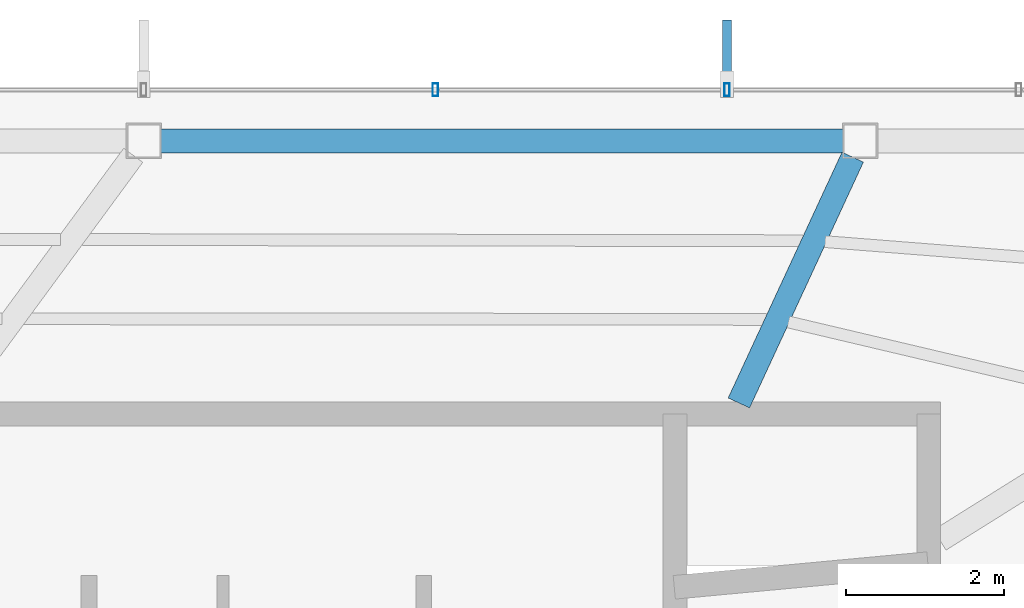
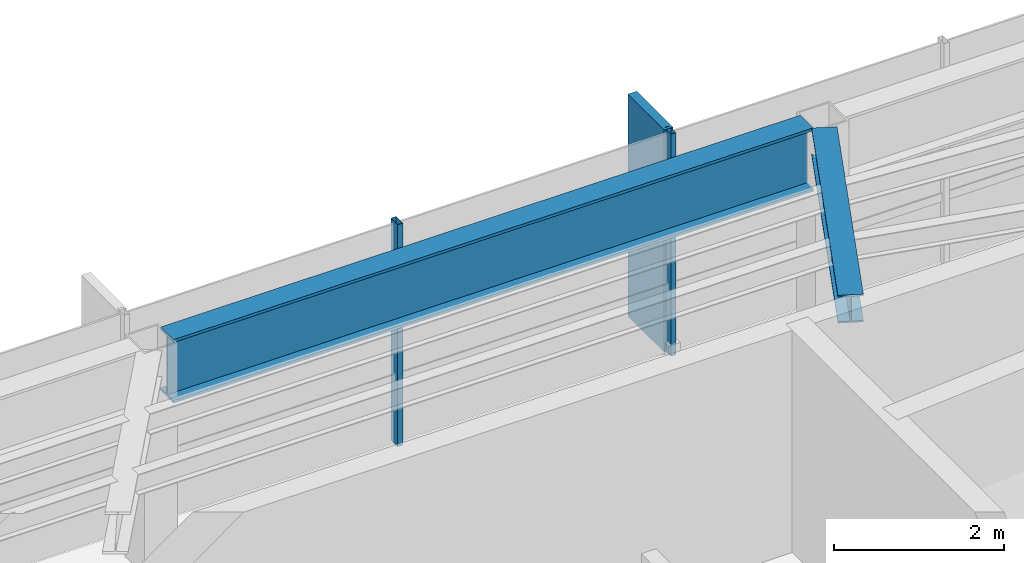
# One storey, part 14 of 22: 3 members, 2 beams, 1 element without a shape of its own.
"""IFC4 building model written with IfcOpenShell, lengths in metres."""

import ifcopenshell
import ifcopenshell.guid

model = None  # the IFC model being written
_history = None  # IfcOwnerHistory: only IFC2X3 demands one
_inside = {}  # id of a spatial element -> (the spatial element, [elements in it])
_under = {}  # id of a project, library or spatial element -> (it, [spatial elements below it])
_declared = {}  # id of a project -> (the project, [libraries it declares])
_typed = {}  # id of a type object -> (the type object, [elements of that type])
_made_of = {}  # id of a material, layer set ... -> (it, [elements and type objects made of it])


def new_model(schema):
    """Start an empty IFC model of exactly this schema.

    Asked for "IFC4X3", IfcOpenShell would pick the latest addendum, in which some entities
    have other attributes; the version numbers below select the first issue.
    IFC2X3 requires an IfcOwnerHistory on every rooted entity: one is made here for all.
    """
    global model, _history
    if schema == "IFC4X3":
        model = ifcopenshell.file(schema_version=(4, 3, 0, 0))
    else:
        model = ifcopenshell.file(schema=schema)
    _inside.clear()
    _under.clear()
    _declared.clear()
    _typed.clear()
    _made_of.clear()
    _history = None
    if model.schema == "IFC2X3":
        org = make("IfcOrganization", Name="unknown")
        user = make(
            "IfcPersonAndOrganization",
            ThePerson=make("IfcPerson", FamilyName="unknown"),
            TheOrganization=org,
        )
        app = make(
            "IfcApplication",
            ApplicationDeveloper=org,
            Version="unknown",
            ApplicationFullName="unknown",
            ApplicationIdentifier="unknown",
        )
        _history = make(
            "IfcOwnerHistory",
            OwningUser=user,
            OwningApplication=app,
            ChangeAction="ADDED",
            CreationDate=0,
        )
    return model


def make(cls, **values):
    """One entity of the class cls with the attributes given. An attribute that is None is left unset."""
    return model.create_entity(
        cls, **{name: value for name, value in values.items() if value is not None}
    )


def rooted(cls, **values):
    """An entity with a GlobalId (a new one), such as an element, a storey or a relation."""
    return make(cls, GlobalId=ifcopenshell.guid.new(), OwnerHistory=_history, **values)


def si_unit(unit_type, name, prefix=None):
    """IfcSIUnit, for example si_unit("LENGTHUNIT", "METRE", prefix="MILLI")."""
    return make("IfcSIUnit", UnitType=unit_type, Prefix=prefix, Name=name)


def assignment(units):
    """IfcUnitAssignment: the units of a project."""
    return None if units is None else make("IfcUnitAssignment", Units=units)


def point(xyz):
    """IfcCartesianPoint."""
    return None if xyz is None else make("IfcCartesianPoint", Coordinates=xyz)


def direction(xyz):
    """IfcDirection."""
    return None if xyz is None else make("IfcDirection", DirectionRatios=xyz)


def frame(location, z_axis=None, x_axis=None):
    """IfcAxis2Placement3D, a coordinate frame: its origin and axes. An axis left out is left unset."""
    return make(
        "IfcAxis2Placement3D",
        Location=point(location),
        Axis=direction(z_axis),
        RefDirection=direction(x_axis),
    )


def frame_2d(location, x_axis=None):
    """IfcAxis2Placement2D, a coordinate frame in the plane: its origin and x axis."""
    return make(
        "IfcAxis2Placement2D", Location=point(location), RefDirection=direction(x_axis)
    )


def origin():
    """The frame at (0, 0, 0) with its axes left unset."""
    return frame((0.0, 0.0, 0.0))


def origin_2d():
    """The frame at (0, 0) in the plane with its x axis left unset."""
    return frame_2d((0.0, 0.0))


def place(relative_to, where):
    """IfcLocalPlacement: puts the frame where relative to a parent placement (None: the world)."""
    return make(
        "IfcLocalPlacement", PlacementRelTo=relative_to, RelativePlacement=where
    )


def context(
    kind, dimensions, precision=None, world=None, true_north=None, identifier=None
):
    """IfcGeometricRepresentationContext, for example the 3D "Model" context."""
    return make(
        "IfcGeometricRepresentationContext",
        ContextIdentifier=identifier,
        ContextType=kind,
        CoordinateSpaceDimension=dimensions,
        Precision=precision,
        WorldCoordinateSystem=world,
        TrueNorth=true_north,
    )


def subcontext(parent, identifier, kind, view, scale=None):
    """IfcGeometricRepresentationSubContext, for example "Body" below "Model"."""
    return make(
        "IfcGeometricRepresentationSubContext",
        ContextIdentifier=identifier,
        ContextType=kind,
        ParentContext=parent,
        TargetScale=scale,
        TargetView=view,
    )


def project(units=None, contexts=None):
    """IfcProject with its units and contexts."""
    return rooted(
        "IfcProject",
        Name="project",
        RepresentationContexts=contexts,
        UnitsInContext=assignment(units),
    )


def spatial(cls, under=None, at=None, **own):
    """A site, building, storey or space (cls), placed at a placement, below another one or the project."""
    s = rooted(cls, ObjectPlacement=at, **own)
    if under is not None:
        _under.setdefault(under.id(), (under, []))[1].append(s)
    return s


def profile(cls, at=None, kind="AREA", **sizes):
    """A parametric profile (cls). Its sizes go by their IFC names, for example OverallWidth=200.0."""
    return make(cls, ProfileType=kind, Position=at, **sizes)


def rectangle(**sizes):
    """IfcRectangleProfileDef."""
    return profile("IfcRectangleProfileDef", **sizes)


def hollow_rectangle(**sizes):
    """IfcRectangleHollowProfileDef."""
    return profile("IfcRectangleHollowProfileDef", **sizes)


def i_section(**sizes):
    """IfcIShapeProfileDef."""
    return profile("IfcIShapeProfileDef", **sizes)


def extrude(swept, where, along, depth):
    """IfcExtrudedAreaSolid: the profile swept, set in the frame where, extruded along a direction by depth."""
    return make(
        "IfcExtrudedAreaSolid",
        SweptArea=swept,
        Position=where,
        ExtrudedDirection=direction(along),
        Depth=depth,
    )


def shape(context_of_items, identifier, shape_type, items):
    """IfcShapeRepresentation: the items that make up one representation, for example the "Body"."""
    return make(
        "IfcShapeRepresentation",
        ContextOfItems=context_of_items,
        RepresentationIdentifier=identifier,
        RepresentationType=shape_type,
        Items=items,
    )


def material(Name=None, Category=None):
    """IfcMaterial."""
    return make("IfcMaterial", Name=Name, Category=Category)


def layer(
    of_material, thickness, ventilated=None, Name=None, Category=None, Priority=None
):
    """IfcMaterialLayer: one layer of a wall or slab, of a material (None: an air gap)."""
    return make(
        "IfcMaterialLayer",
        Material=of_material,
        LayerThickness=thickness,
        IsVentilated=ventilated,
        Name=Name,
        Category=Category,
        Priority=Priority,
    )


def layer_set(layers, Name=None):
    """IfcMaterialLayerSet."""
    return make("IfcMaterialLayerSet", MaterialLayers=layers, LayerSetName=Name)


def material_profile(
    of_material, cross_section, Name=None, Category=None, Priority=None
):
    """IfcMaterialProfile: a cross section and its material."""
    return make(
        "IfcMaterialProfile",
        Name=Name,
        Material=of_material,
        Profile=cross_section,
        Priority=Priority,
        Category=Category,
    )


def profile_set(profiles, Name=None, composite=None):
    """IfcMaterialProfileSet."""
    return make(
        "IfcMaterialProfileSet",
        Name=Name,
        MaterialProfiles=profiles,
        CompositeProfile=composite,
    )


def made_of(thing, what):
    """Note that an element or type object is made of a material, layer set ...; save() writes the relation."""
    if what is not None:
        _made_of.setdefault(what.id(), (what, []))[1].append(thing)
    return thing


def type_object(cls, material=None, **own):
    """A type object (cls), such as IfcWallType, which elements share."""
    return made_of(rooted(cls, **own), material)


def element(
    cls,
    number,
    at=None,
    inside=None,
    cuts=None,
    type_object=None,
    material=None,
    context=None,
    identifier="Body",
    shape_type=None,
    held_by="IfcProductDefinitionShape",
    body=None,
    shapes=None,
    **own,
):
    """One element of the class cls, such as IfcWall. Its Tag is "e" and its number.

    at: its placement. inside: the storey or other place that contains it. cuts: it is an
    opening in that element (IfcRelVoidsElement). A single representation is given by context,
    identifier, shape_type and body (its items); several are given by shapes. held_by: the class
    of the entity that holds the representations. save() writes the other relations.
    """
    e = rooted(cls, Tag="e%d" % number, ObjectPlacement=at, **own)
    if body is not None:
        shapes = [shape(context, identifier, shape_type, body)]
    if shapes is not None:
        e.Representation = make(held_by, Representations=shapes)
    if inside is not None:
        _inside.setdefault(inside.id(), (inside, []))[1].append(e)
    if cuts is not None:
        rooted(
            "IfcRelVoidsElement", RelatingBuildingElement=cuts, RelatedOpeningElement=e
        )
    if type_object is not None:
        _typed.setdefault(type_object.id(), (type_object, []))[1].append(e)
    return made_of(e, material)


def aggregate(whole, parts):
    """IfcRelAggregates: a whole, such as a stair, and the parts it consists of."""
    return rooted("IfcRelAggregates", RelatingObject=whole, RelatedObjects=parts)


def save(model, path):
    """Write the relations noted so far, then the file.

    IfcRelAggregates (storeys below a building ...), IfcRelContainedInSpatialStructure (elements
    in a storey), IfcRelDefinesByType, IfcRelAssociatesMaterial and IfcRelDeclares: one each for
    every whole, place, type object, material and project.
    """
    for whole, parts in _under.values():
        aggregate(whole, parts)
    for where, things in _inside.values():
        rooted(
            "IfcRelContainedInSpatialStructure",
            RelatedElements=things,
            RelatingStructure=where,
        )
    for kind, things in _typed.values():
        rooted("IfcRelDefinesByType", RelatedObjects=things, RelatingType=kind)
    for what, things in _made_of.values():
        rooted("IfcRelAssociatesMaterial", RelatedObjects=things, RelatingMaterial=what)
    for by, libraries in _declared.values():
        rooted("IfcRelDeclares", RelatingContext=by, RelatedDefinitions=libraries)
    model.write(path)


model = new_model("IFC4")

# Units and contexts
model_context = context("Model", 3, precision=1e-05, world=origin(), true_north=direction((0.0, 1.0)))
body_context = subcontext(model_context, "Body", "Model", "MODEL_VIEW")
ifc_project = project(units=[si_unit("LENGTHUNIT", "METRE"), si_unit("AREAUNIT", "SQUARE_METRE"), si_unit("VOLUMEUNIT", "CUBIC_METRE"), si_unit("PLANEANGLEUNIT", "RADIAN"), si_unit("MASSUNIT", "GRAM", prefix="KILO")], contexts=[model_context])

# Site, building, storey
site_placement = place(None, origin())
site = spatial("IfcSite", under=ifc_project, at=site_placement, CompositionType="ELEMENT")
building_placement = place(site_placement, origin())
building = spatial("IfcBuilding", under=site, at=building_placement, Name="Zarrinselat Tower", CompositionType="ELEMENT")
storey_placement = place(building_placement, frame((0.0, 0.0, 289.0)))
storey = spatial("IfcBuildingStorey", under=building, at=storey_placement, Name="L74", CompositionType="ELEMENT", Elevation=289.0)

# Beams
ifc_material_1 = material(Name="Steel S355J2", Category="steel")
ifc_material_profile_1 = material_profile(ifc_material_1, i_section(OverallWidth=0.300048828125, OverallDepth=0.39990234375, WebThickness=0.013427734375, FlangeThickness=0.02392578125, at=origin_2d()), Name="HEB 400")
ifc_profile_set_1 = profile_set([ifc_material_profile_1], Name="Steel S355J2")
beam_type_1 = type_object("IfcBeamType", Name="BM-HEB400", PredefinedType="BEAM", material=ifc_profile_set_1)
beam_1_placement = place(storey_placement, frame((45.800048828125, 43.5400390625, 2.97998046875), z_axis=(0.420205846553, 0.907428810719, 0.0), x_axis=(-0.907428810719, 0.420205846553, 0.0)))
element("IfcBeam", 1, at=beam_1_placement, inside=storey, type_object=beam_type_1, Name="L74 Radial Primary Girder RG02", PredefinedType="BEAM", context=body_context, shape_type="SweptSolid", body=[
    extrude(i_section(OverallWidth=0.300048828125, OverallDepth=0.39990234375, WebThickness=0.013427734375, FlangeThickness=0.02392578125, at=origin_2d()), origin(), (0.0, 0.0, 1.0), 3.43896484375),
])
ifc_material_2 = material(Name="Steel S460M", Category="steel")
ifc_material_profile_2 = material_profile(ifc_material_2, i_section(OverallWidth=0.302001953125, OverallDepth=0.909912109375, WebThickness=0.02099609375, FlangeThickness=0.0400390625, at=origin_2d()), Name="HEM 900")
ifc_profile_set_2 = profile_set([ifc_material_profile_2], Name="Steel S460M")
beam_type_2 = type_object("IfcBeamType", Name="BM-HEM900", PredefinedType="BEAM", material=ifc_profile_set_2)
beam_2_placement = place(storey_placement, frame((38.45849609375, 46.86669921875, 2.72509765625), z_axis=(1.0, 0.0, 0.0), x_axis=(0.0, 1.0, 0.0)))
element("IfcBeam", 2, at=beam_2_placement, inside=storey, type_object=beam_type_2, Name="L74 Perimeter Spandrel Girder SP02", PredefinedType="BEAM", context=body_context, shape_type="SweptSolid", body=[
    extrude(i_section(OverallWidth=0.302001953125, OverallDepth=0.909912109375, WebThickness=0.02099609375, FlangeThickness=0.0400390625, at=origin_2d()), origin(), (0.0, 0.0, 1.0), 8.6689453125),
])

# Curtain wall, members
ifc_material_3 = material(Name="Extruded Aluminium Alloy EN AW-6063 T6", Category="aluminium")
ifc_layer = layer(ifc_material_3, 0.169921875)
ifc_layer_set = layer_set([ifc_layer], Name="Extruded Aluminium Alloy EN AW-6063 T6")
curtain_wall_type = type_object("IfcCurtainWallType", Name="CWS-RES", PredefinedType="NOTDEFINED", material=ifc_layer_set)
curtain_wall_placement = place(storey_placement, origin())
curtain_wall = element("IfcCurtainWall", 3, at=curtain_wall_placement, inside=storey, type_object=curtain_wall_type, Name="L74 Unitised Curtain Wall CW-L74-E01", PredefinedType="NOTDEFINED")
ifc_material_4 = material(Name="Extruded Aluminium Alloy EN AW-6063 T6", Category="aluminium")
ifc_material_profile_3 = material_profile(ifc_material_4, hollow_rectangle(XDim=0.070068359375, YDim=0.159912109375, WallThickness=0.00390625, at=origin_2d()), Name="RHS 160x70x4")
ifc_profile_set_3 = profile_set([ifc_material_profile_3], Name="Extruded Aluminium Alloy EN AW-6063 T6")
member_type_1 = type_object("IfcMemberType", Name="MEM-CW-MUL2", PredefinedType="MULLION", material=ifc_profile_set_3)
member_1_placement = place(storey_placement, frame((45.6494140625, 47.5166015625, 0.0), z_axis=(0.0, 0.0, 1.0), x_axis=(-1.0, 0.0, 0.0)))
member_1 = element("IfcMember", 4, at=member_1_placement, type_object=member_type_1, Name="CW-L74-E01 Mullion 3", PredefinedType="MULLION", context=body_context, shape_type="SweptSolid", body=[
    extrude(hollow_rectangle(XDim=0.070068359375, YDim=0.159912109375, WallThickness=0.00390625, at=origin_2d()), origin(), (0.0, 0.0, 1.0), 3.179931640625),
])
member_2_placement = place(storey_placement, frame((41.94677734375, 47.5166015625, 0.0), z_axis=(0.0, 0.0, 1.0), x_axis=(-1.0, 0.0, 0.0)))
member_2 = element("IfcMember", 5, at=member_2_placement, type_object=member_type_1, Name="CW-L74-E01 Mullion 4", PredefinedType="MULLION", context=body_context, shape_type="SweptSolid", body=[
    extrude(hollow_rectangle(XDim=0.070068359375, YDim=0.159912109375, WallThickness=0.00390625, at=origin_2d()), origin(), (0.0, 0.0, 1.0), 3.179931640625),
])
ifc_material_5 = material(Name="Honed Cream Travertine Stone", Category="masonry")
ifc_material_profile_4 = material_profile(ifc_material_5, rectangle(XDim=0.1201171875, YDim=0.85009765625, at=origin_2d()), Name="FIN 850x120")
ifc_profile_set_4 = profile_set([ifc_material_profile_4], Name="Honed Cream Travertine Stone")
member_type_2 = type_object("IfcMemberType", Name="MEM-STONE-FIN", PredefinedType="USERDEFINED", material=ifc_profile_set_4)
member_3_placement = place(storey_placement, frame((45.6494140625, 47.976806640625, 0.0), z_axis=(0.0, 0.0, 1.0), x_axis=(1.0, 0.0, 0.0)))
member_3 = element("IfcMember", 6, at=member_3_placement, type_object=member_type_2, Name="L74 Stone Shading Fin CW-L74-E01-03", ObjectType="FIN", PredefinedType="USERDEFINED", context=body_context, shape_type="SweptSolid", body=[
    extrude(rectangle(XDim=0.1201171875, YDim=0.85009765625, at=origin_2d()), origin(), (0.0, 0.0, 1.0), 3.179931640625),
])
aggregate(curtain_wall, [member_1, member_3, member_2])

save(model, "model.ifc")
